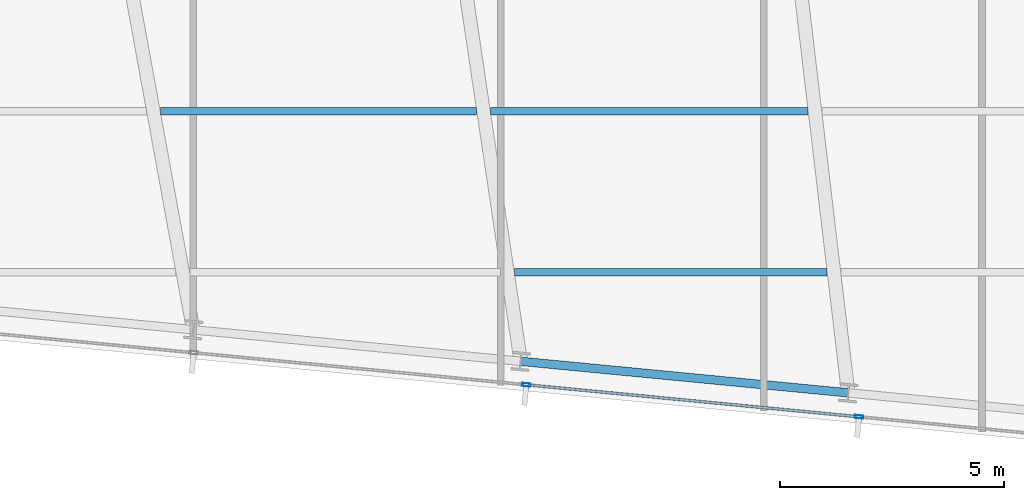
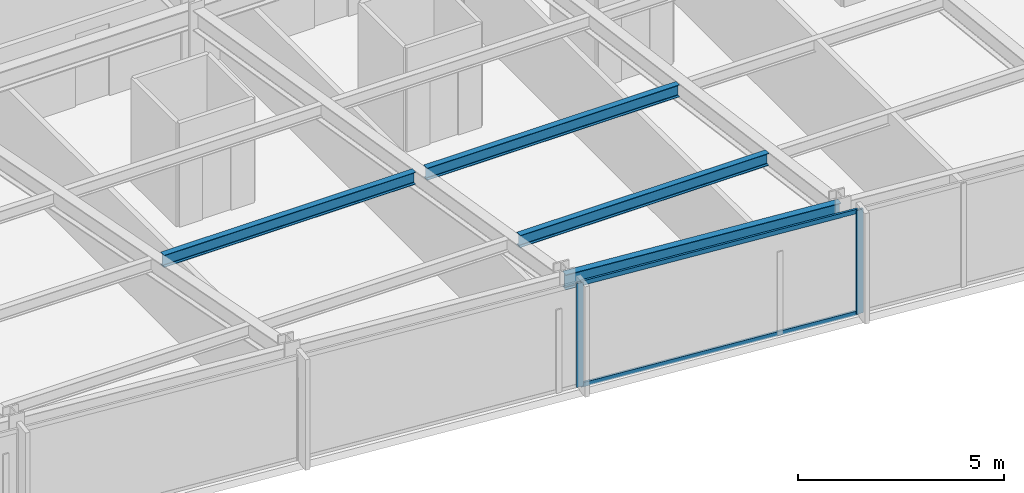
# One storey, part 12 of 38: 4 beams, 4 members, 1 element without a shape of its own.
"""IFC4 building model written with IfcOpenShell, lengths in metres."""

from ifc_helpers import new_model, si_unit, direction, frame, origin, origin_2d, place, context, subcontext, project, spatial, hollow_rectangle, i_section, extrude, material, material_profile, profile_set, type_object, element, aggregate, save


model = new_model("IFC4")

# Units and contexts
model_context = context("Model", 3, precision=1e-05, world=origin(), true_north=direction((0.0, 1.0)))
body_context = subcontext(model_context, "Body", "Model", "MODEL_VIEW")
ifc_project = project(units=[si_unit("LENGTHUNIT", "METRE"), si_unit("AREAUNIT", "SQUARE_METRE"), si_unit("VOLUMEUNIT", "CUBIC_METRE"), si_unit("PLANEANGLEUNIT", "RADIAN"), si_unit("MASSUNIT", "GRAM", prefix="KILO")], contexts=[model_context])

# Site, building, storey
site_placement = place(None, origin())
site = spatial("IfcSite", under=ifc_project, at=site_placement, CompositionType="ELEMENT")
building_placement = place(site_placement, origin())
building = spatial("IfcBuilding", under=site, at=building_placement, Name="Yelkora Congress Tower", CompositionType="ELEMENT")
storey_placement = place(building_placement, frame((0.0, 0.0, 172.10009765625)))
storey = spatial("IfcBuildingStorey", under=building, at=storey_placement, Name="L47", CompositionType="ELEMENT", Elevation=172.10009765625)

# Beams
ifc_material_1 = material(Name="Steel S355J2", Category="steel")
ifc_material_profile_1 = material_profile(ifc_material_1, i_section(OverallWidth=0.169921875, OverallDepth=0.360107421875, WebThickness=0.008056640625, FlangeThickness=0.0126953125, FilletRadius=0.01806640625, at=origin_2d()), Name="IPE 360")
ifc_profile_set_1 = profile_set([ifc_material_profile_1], Name="Steel S355J2")
beam_type_1 = type_object("IfcBeamType", Name="BM-JOIST-IPE360", PredefinedType="JOIST", material=ifc_profile_set_1)
beam_1_placement = place(storey_placement, frame((40.39990234375, 12.8212890625, 2.89990234375), z_axis=(1.0, 0.0, 0.0), x_axis=(0.0, 1.0, 0.0)))
element("IfcBeam", 1, at=beam_1_placement, inside=storey, type_object=beam_type_1, Name="L47 Composite Floor Joist 3", PredefinedType="JOIST", context=body_context, shape_type="SweptSolid", body=[
    extrude(i_section(OverallWidth=0.169921875, OverallDepth=0.360107421875, WebThickness=0.008056640625, FlangeThickness=0.0126953125, FilletRadius=0.01806640625, at=origin_2d()), origin(), (0.0, 0.0, 1.0), 6.98095703125),
])
beam_2_placement = place(storey_placement, frame((32.481201171875, 16.421142578125, 2.89990234375), z_axis=(1.0, 0.0, 0.0), x_axis=(0.0, 1.0, 0.0)))
element("IfcBeam", 2, at=beam_2_placement, inside=storey, type_object=beam_type_1, Name="L47 Composite Floor Joist 9", PredefinedType="JOIST", context=body_context, shape_type="SweptSolid", body=[
    extrude(i_section(OverallWidth=0.169921875, OverallDepth=0.360107421875, WebThickness=0.008056640625, FlangeThickness=0.0126953125, FilletRadius=0.01806640625, at=origin_2d()), origin(), (0.0, 0.0, 1.0), 7.063720703125),
])
beam_3_placement = place(storey_placement, frame((39.86474609375, 16.421142578125, 2.89990234375), z_axis=(1.0, 0.0, 0.0), x_axis=(0.0, 1.0, 0.0)))
element("IfcBeam", 3, at=beam_3_placement, inside=storey, type_object=beam_type_1, Name="L47 Composite Floor Joist 10", PredefinedType="JOIST", context=body_context, shape_type="SweptSolid", body=[
    extrude(i_section(OverallWidth=0.169921875, OverallDepth=0.360107421875, WebThickness=0.008056640625, FlangeThickness=0.0126953125, FilletRadius=0.01806640625, at=origin_2d()), origin(), (0.0, 0.0, 1.0), 7.09130859375),
])
ifc_material_profile_2 = material_profile(ifc_material_1, i_section(OverallWidth=0.18994140625, OverallDepth=0.449951171875, WebThickness=0.009521484375, FlangeThickness=0.0146484375, FilletRadius=0.02099609375, at=origin_2d()), Name="IPE 450")
ifc_profile_set_2 = profile_set([ifc_material_profile_2], Name="Steel S355J2")
beam_type_2 = type_object("IfcBeamType", Name="BM-SPAN-IPE450", PredefinedType="SPANDREL", material=ifc_profile_set_2)
beam_4_placement = place(storey_placement, frame((40.53564453125, 10.83154296875, 2.85498046875), z_axis=(0.995397104697, -0.095836339457, 0.0), x_axis=(0.095836339457, 0.995397104697, 0.0)))
element("IfcBeam", 4, at=beam_4_placement, inside=storey, type_object=beam_type_2, Name="L47 Perimeter Beam 7", PredefinedType="SPANDREL", context=body_context, shape_type="SweptSolid", body=[
    extrude(i_section(OverallWidth=0.18994140625, OverallDepth=0.449951171875, WebThickness=0.009521484375, FlangeThickness=0.0146484375, FilletRadius=0.02099609375, at=origin_2d()), origin(), (0.0, 0.0, 1.0), 7.357177734375),
])

# Curtain wall, members
ifc_material_2 = material(Name="Anodised aluminium and insulated glass", Category="aluminium")
curtain_wall_type = type_object("IfcCurtainWallType", Name="CW-SYS-B3", PredefinedType="NOTDEFINED", material=ifc_material_2)
curtain_wall_placement = place(storey_placement, origin())
curtain_wall = element("IfcCurtainWall", 5, at=curtain_wall_placement, inside=storey, type_object=curtain_wall_type, Name="L47 Unitised Curtain Wall 20", PredefinedType="NOTDEFINED")
ifc_material_3 = material(Name="Anodised aluminium 6063-T6", Category="aluminium")
ifc_material_profile_3 = material_profile(ifc_material_3, hollow_rectangle(XDim=0.070068359375, YDim=0.18994140625, WallThickness=0.00390625, at=origin_2d()), Name="ALU 70x190x4")
ifc_profile_set_3 = profile_set([ifc_material_profile_3], Name="Anodised aluminium 6063-T6")
member_type_1 = type_object("IfcMemberType", Name="MEM-ML-B3", PredefinedType="MULLION", material=ifc_profile_set_3)
member_1_placement = place(storey_placement, frame((48.1015625, 9.590576171875, 0.0), z_axis=(0.0, 0.0, 1.0), x_axis=(-0.095844680679, -0.995396301573, 0.0)))
member_1 = element("IfcMember", 6, at=member_1_placement, type_object=member_type_1, Name="CW-B3 mullion 2", PredefinedType="MULLION", context=body_context, shape_type="SweptSolid", body=[
    extrude(hollow_rectangle(XDim=0.070068359375, YDim=0.18994140625, WallThickness=0.00390625, at=origin_2d()), origin(), (0.0, 0.0, 1.0), 3.079833984375),
])
member_2_placement = place(storey_placement, frame((40.66162109375, 10.30712890625, 0.0), z_axis=(0.0, 0.0, 1.0), x_axis=(-0.095844680679, -0.995396301573, 0.0)))
member_2 = element("IfcMember", 7, at=member_2_placement, type_object=member_type_1, Name="CW-B3 mullion 3", PredefinedType="MULLION", context=body_context, shape_type="SweptSolid", body=[
    extrude(hollow_rectangle(XDim=0.070068359375, YDim=0.18994140625, WallThickness=0.00390625, at=origin_2d()), origin(), (0.0, 0.0, 1.0), 3.079833984375),
])
ifc_material_profile_4 = material_profile(ifc_material_3, hollow_rectangle(XDim=0.06005859375, YDim=0.1298828125, WallThickness=0.00390625, at=origin_2d()), Name="ALU 60x130x4")
ifc_profile_set_4 = profile_set([ifc_material_profile_4], Name="Anodised aluminium 6063-T6")
member_type_2 = type_object("IfcMemberType", Name="MEM-TR-B3", PredefinedType="USERDEFINED", material=ifc_profile_set_4)
member_3_placement = place(storey_placement, frame((48.066650390625, 9.593994140625, 0.02978515625), z_axis=(-0.99539548672, 0.095853142967, 0.0), x_axis=(-0.095853142967, -0.99539548672, 0.0)))
member_3 = element("IfcMember", 8, at=member_3_placement, type_object=member_type_2, Name="CW-B3 transom 2.1", ObjectType="TRANSOM", PredefinedType="USERDEFINED", context=body_context, shape_type="SweptSolid", body=[
    extrude(hollow_rectangle(XDim=0.06005859375, YDim=0.1298828125, WallThickness=0.00390625, at=origin_2d()), origin(), (0.0, 0.0, 1.0), 7.404296875),
])
member_4_placement = place(storey_placement, frame((48.066650390625, 9.593994140625, 3.0498046875), z_axis=(-0.99539548672, 0.095853142967, 0.0), x_axis=(-0.095853142967, -0.99539548672, 0.0)))
member_4 = element("IfcMember", 9, at=member_4_placement, type_object=member_type_2, Name="CW-B3 transom 2.2", ObjectType="TRANSOM", PredefinedType="USERDEFINED", context=body_context, shape_type="SweptSolid", body=[
    extrude(hollow_rectangle(XDim=0.06005859375, YDim=0.1298828125, WallThickness=0.00390625, at=origin_2d()), origin(), (0.0, 0.0, 1.0), 7.404296875),
])
aggregate(curtain_wall, [member_1, member_2, member_3, member_4])

save(model, "model.ifc")
